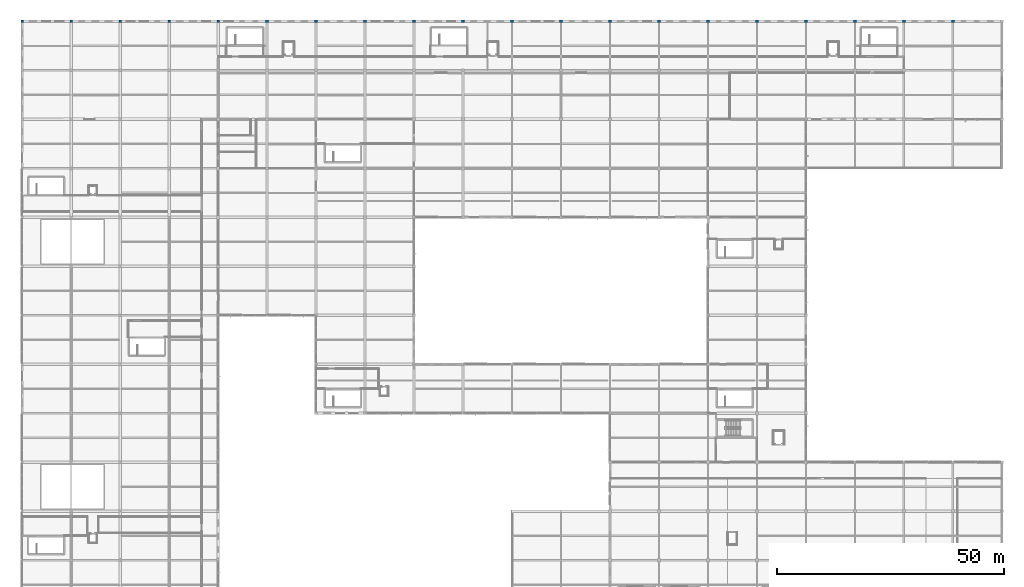
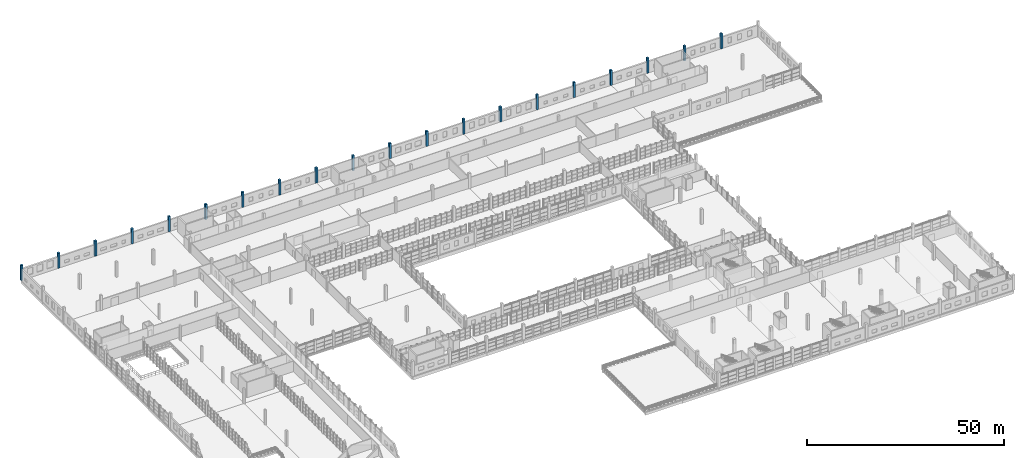
# One storey, part 4 of 142: 20 columns.
"""IFC4 building model written with IfcOpenShell, lengths in metres."""

from ifc_helpers import new_model, si_unit, direction, frame, origin, origin_2d, place, context, subcontext, project, spatial, rectangle, extrude, material, material_profile, profile_set, type_object, element, save


model = new_model("IFC4")

# Units and contexts
model_context = context("Model", 3, precision=1e-05, world=origin(), true_north=direction((0.0, 1.0)))
body_context = subcontext(model_context, "Body", "Model", "MODEL_VIEW")
ifc_project = project(units=[si_unit("LENGTHUNIT", "METRE"), si_unit("AREAUNIT", "SQUARE_METRE"), si_unit("VOLUMEUNIT", "CUBIC_METRE"), si_unit("PLANEANGLEUNIT", "RADIAN"), si_unit("MASSUNIT", "GRAM", prefix="KILO")], contexts=[model_context])

# Site, building, storey
site_placement = place(None, origin())
site = spatial("IfcSite", under=ifc_project, at=site_placement, CompositionType="ELEMENT")
building_placement = place(site_placement, origin())
building = spatial("IfcBuilding", under=site, at=building_placement, Name="Zwinboog Wholesale Market", CompositionType="ELEMENT")
storey_placement = place(building_placement, frame((0.0, 0.0, 5.39990234375)))
storey = spatial("IfcBuildingStorey", under=building, at=storey_placement, Name="L01", CompositionType="ELEMENT", Elevation=5.39990234375)

# Columns
ifc_material = material(Name="Precast concrete C45/55", Category="concrete")
ifc_material_profile = material_profile(ifc_material, rectangle(XDim=0.60009765625, YDim=0.60009765625, at=origin_2d()), Name="PC 600x600")
ifc_profile_set = profile_set([ifc_material_profile], Name="Precast concrete C45/55")
column_type = type_object("IfcColumnType", Name="CT-04", PredefinedType="COLUMN", material=ifc_profile_set)
for number, where, z_axis, x_axis, name in (
    (1, (0.0, 129.60009765625, 0.0), (0.0, 0.0, 1.0), (1.0, 0.0, 0.0), "C-04 (COL-L01-0026)"),
    (2, (10.800048828125, 129.60009765625, 0.0), (0.0, 0.0, 1.0), (1.0, 0.0, 0.0), "C-04 (COL-L01-0052)"),
    (3, (21.60009765625, 129.60009765625, 0.0), (0.0, 0.0, 1.0), (1.0, 0.0, 0.0), "C-04 (COL-L01-0078)"),
    (4, (32.39990234375, 129.60009765625, 0.0), (0.0, 0.0, 1.0), (1.0, 0.0, 0.0), "C-04 (COL-L01-0104)"),
    (5, (43.199951171875, 129.60009765625, 0.0), (0.0, 0.0, 1.0), (1.0, 0.0, 0.0), "C-04 (COL-L01-0130)"),
    (6, (54.0, 129.60009765625, 0.0), (0.0, 0.0, 1.0), (1.0, 0.0, 0.0), "C-04 (COL-L01-0147)"),
    (7, (64.800048828125, 129.60009765625, 0.0), (0.0, 0.0, 1.0), (1.0, 0.0, 0.0), "C-04 (COL-L01-0166)"),
    (8, (75.60009765625, 129.60009765625, 0.0), (0.0, 0.0, 1.0), (1.0, 0.0, 0.0), "C-04 (COL-L01-0185)"),
    (9, (86.39990234375, 129.60009765625, 0.0), (0.0, 0.0, 1.0), (1.0, 0.0, 0.0), "C-04 (COL-L01-0204)"),
    (10, (97.199951171875, 129.60009765625, 0.0), (0.0, 0.0, 1.0), (1.0, 0.0, 0.0), "C-04 (COL-L01-0221)"),
    (11, (108.0, 129.60009765625, 0.0), (0.0, 0.0, 1.0), (1.0, 0.0, 0.0), "C-04 (COL-L01-0241)"),
    (12, (118.800048828125, 129.60009765625, 0.0), (0.0, 0.0, 1.0), (1.0, 0.0, 0.0), "C-04 (COL-L01-0260)"),
    (13, (129.60009765625, 129.60009765625, 0.0), (0.0, 0.0, 1.0), (1.0, 0.0, 0.0), "C-04 (COL-L01-0292)"),
    (14, (140.39990234375, 129.60009765625, 0.0), (0.0, 0.0, 1.0), (1.0, 0.0, 0.0), "C-04 (COL-L01-0324)"),
    (15, (151.199951171875, 129.60009765625, 0.0), (0.0, 0.0, 1.0), (1.0, 0.0, 0.0), "C-04 (COL-L01-0360)"),
    (16, (162.0, 129.60009765625, 0.0), (0.0, 0.0, 1.0), (1.0, 0.0, 0.0), "C-04 (COL-L01-0396)"),
    (17, (172.800048828125, 129.60009765625, 0.0), (0.0, 0.0, 1.0), (1.0, 0.0, 0.0), "C-04 (COL-L01-0432)"),
    (18, (183.60009765625, 129.60009765625, 0.0), (0.0, 0.0, 1.0), (1.0, 0.0, 0.0), "C-04 (COL-L01-0456)"),
    (19, (194.39990234375, 129.60009765625, 0.0), (0.0, 0.0, 1.0), (1.0, 0.0, 0.0), "C-04 (COL-L01-0475)"),
    (20, (205.199951171875, 129.60009765625, 0.0), (0.0, 0.0, 1.0), (1.0, 0.0, 0.0), "C-04 (COL-L01-0494)"),
):
    element("IfcColumn", number, at=place(storey_placement, frame(where, z_axis=z_axis, x_axis=x_axis)), inside=storey, type_object=column_type, Name=name, PredefinedType="COLUMN", context=body_context, shape_type="SweptSolid", body=[
        extrude(rectangle(XDim=0.60009765625, YDim=0.60009765625, at=origin_2d()), origin(), (0.0, 0.0, 1.0), 4.68017578125),
    ])

save(model, "model.ifc")
